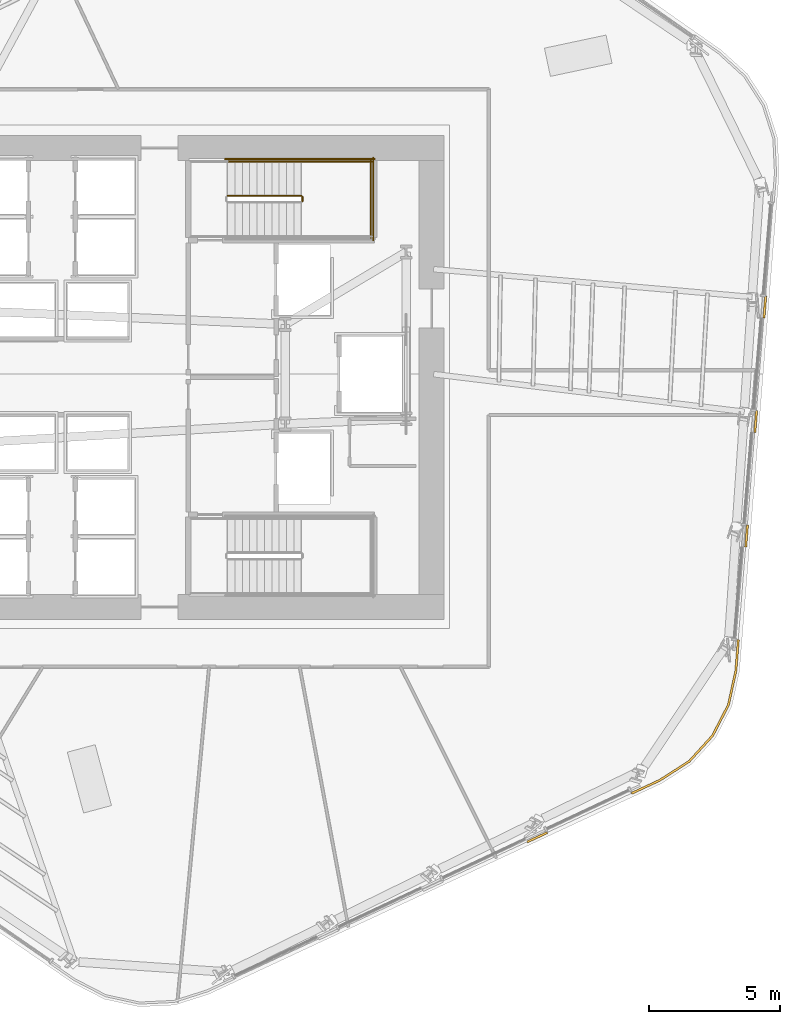
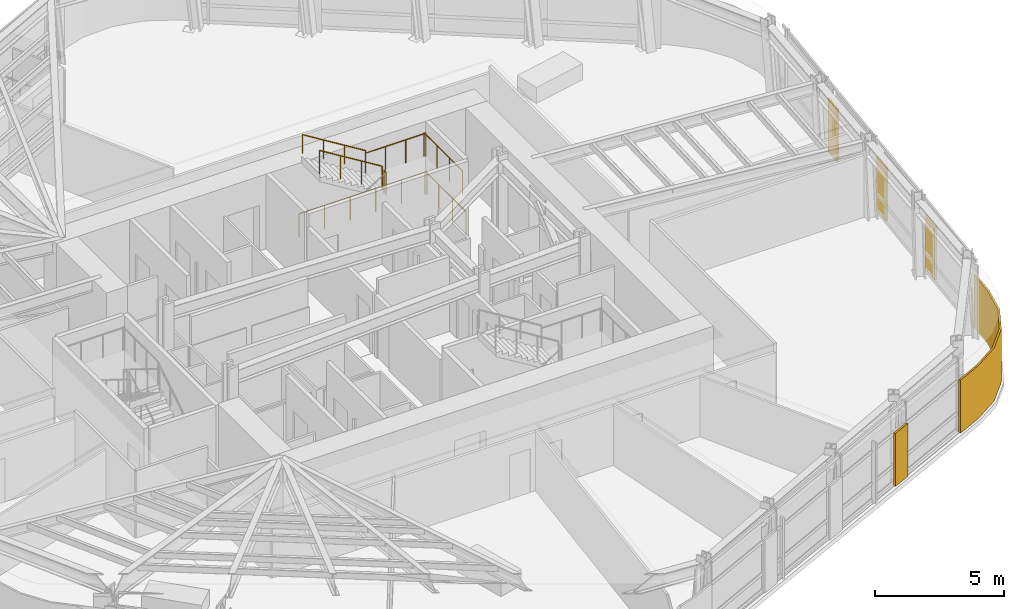
# One storey, part 17 of 19: 7 railings, 5 coverings.
"""IFC4 building model written with IfcOpenShell, lengths in metres."""

from ifc_helpers import new_model, si_unit, direction, frame, origin, origin_2d, place, context, subcontext, project, spatial, polyline, circle, outline, extrude, material, layer, layer_set, type_object, element, save


model = new_model("IFC4")

# Units and contexts
model_context = context("Model", 3, precision=1e-05, world=origin(), true_north=direction((0.0, 1.0)))
body_context = subcontext(model_context, "Body", "Model", "MODEL_VIEW")
ifc_project = project(units=[si_unit("LENGTHUNIT", "METRE"), si_unit("AREAUNIT", "SQUARE_METRE"), si_unit("VOLUMEUNIT", "CUBIC_METRE"), si_unit("PLANEANGLEUNIT", "RADIAN"), si_unit("MASSUNIT", "GRAM", prefix="KILO")], contexts=[model_context])

# Site, building, storey
site_placement = place(None, origin())
site = spatial("IfcSite", under=ifc_project, at=site_placement, CompositionType="ELEMENT")
building_placement = place(site_placement, origin())
building = spatial("IfcBuilding", under=site, at=building_placement, Name="Valkerne Bourse Tower", CompositionType="ELEMENT")
storey_placement = place(building_placement, frame((0.0, 0.0, 131.39990234375)))
storey = spatial("IfcBuildingStorey", under=building, at=storey_placement, Name="L33", CompositionType="ELEMENT", Elevation=131.39990234375)

# Coverings
ifc_material_1 = material(Name="Bronze Anodised Aluminium AA 6063-T6", Category="aluminium")
ifc_layer = layer(ifc_material_1, 0.06005859375)
ifc_layer_set = layer_set([ifc_layer], Name="Bronze Anodised Aluminium AA 6063-T6")
covering_type = type_object("IfcCoveringType", Name="COV-CRN-ALUM", PredefinedType="CLADDING", material=ifc_layer_set)
covering_1_placement = place(storey_placement, origin())
element("IfcCovering", 1, at=covering_1_placement, inside=storey, type_object=covering_type, Name="L33 Wind-Shaped Corner Aluminium Cladding 06", PredefinedType="CLADDING", context=body_context, shape_type="SweptSolid", body=[
    extrude(outline(polyline([(68.630126953125, 29.143798828125), (68.55029296875, 29.150390625), (68.6171875, 29.98779296875), (68.697021484375, 29.981201171875), (68.630126953125, 29.143798828125)])), origin(), (0.0, 0.0, 1.0), 2.5),
])
covering_2_placement = place(storey_placement, origin())
element("IfcCovering", 2, at=covering_2_placement, inside=storey, type_object=covering_type, Name="L33 Wind-Shaped Corner Aluminium Cladding 07", PredefinedType="CLADDING", context=body_context, shape_type="SweptSolid", body=[
    extrude(outline(polyline([(68.281982421875, 24.774658203125), (68.2021484375, 24.78125), (68.268798828125, 25.61865234375), (68.3486328125, 25.612060546875), (68.281982421875, 24.774658203125)])), origin(), (0.0, 0.0, 1.0), 2.5),
])
covering_3_placement = place(storey_placement, origin())
element("IfcCovering", 3, at=covering_3_placement, inside=storey, type_object=covering_type, Name="L33 Wind-Shaped Corner Aluminium Cladding 08", PredefinedType="CLADDING", context=body_context, shape_type="SweptSolid", body=[
    extrude(outline(polyline([(67.93359375, 20.405517578125), (67.85400390625, 20.412109375), (67.920654296875, 21.24951171875), (68.00048828125, 21.242919921875), (67.93359375, 20.405517578125)])), origin(), (0.0, 0.0, 1.0), 2.5),
])
covering_4_placement = place(storey_placement, origin())
element("IfcCovering", 4, at=covering_4_placement, inside=storey, type_object=covering_type, Name="L33 Wind-Shaped Corner Aluminium Cladding 09", PredefinedType="CLADDING", context=body_context, shape_type="SweptSolid", body=[
    extrude(outline(polyline([(67.5576171875, 15.685302734375), (67.2724609375, 14.37841796875), (66.662109375, 13.195556640625), (65.76611328125, 12.2109375), (64.640625, 11.48828125), (63.559814453125, 10.9853515625), (63.525634765625, 11.057861328125), (64.601806640625, 11.55859375), (65.714111328125, 12.272705078125), (66.595703125, 13.24169921875), (67.196533203125, 14.40576171875), (67.47802734375, 15.697021484375), (67.572509765625, 16.88037109375), (67.652099609375, 16.873779296875), (67.5576171875, 15.685302734375)])), origin(), (0.0, 0.0, 1.0), 2.5),
])
covering_5_placement = place(storey_placement, origin())
element("IfcCovering", 5, at=covering_5_placement, inside=storey, type_object=covering_type, Name="L33 Wind-Shaped Corner Aluminium Cladding 10", PredefinedType="CLADDING", context=body_context, shape_type="SweptSolid", body=[
    extrude(outline(polyline([(59.5859375, 9.135986328125), (59.552001953125, 9.20849609375), (60.3134765625, 9.56298828125), (60.34765625, 9.490478515625), (59.5859375, 9.135986328125)])), origin(), (0.0, 0.0, 1.0), 2.5),
])

# Railings
ifc_material_2 = material(Name="Galvanised Painted Steel", Category="steel")
railing_type_1 = type_object("IfcRailingType", Name="RLG-ST-GUARD-1120", PredefinedType="GUARDRAIL", material=ifc_material_2)
railing_1_placement = place(storey_placement, frame((51.0, 33.60009765625, 1.900146484375)))
element("IfcRailing", 6, at=railing_1_placement, inside=storey, type_object=railing_type_1, Name="L33 ST-2 stair guard 2", PredefinedType="GUARDRAIL", context=body_context, shape_type="SweptSolid", body=[
    extrude(circle(Radius=0.02392578125, at=origin_2d()), frame((0.0, 0.0, 1.09619140625), z_axis=(0.0, 1.0, 0.0), x_axis=(-1.0, 0.0, 0.0)), (0.0, 0.0, 1.0), 0.14990234375),
    extrude(circle(Radius=0.02099609375, at=origin_2d()), origin(), (0.0, 0.0, 1.0), 1.072021484375),
    extrude(circle(Radius=0.02099609375, at=origin_2d()), frame((0.0, 0.14990234375, 0.0)), (0.0, 0.0, 1.0), 1.072021484375),
])
railing_2_placement = place(storey_placement, frame((50.949951171875, 35.10009765625, 1.900146484375)))
element("IfcRailing", 7, at=railing_2_placement, inside=storey, type_object=railing_type_1, Name="L33 ST-2 stair guard 4", PredefinedType="GUARDRAIL", context=body_context, shape_type="SweptSolid", body=[
    extrude(circle(Radius=0.02392578125, at=origin_2d()), frame((0.0, 0.0, 1.09619140625), z_axis=(1.0, 0.0, 0.0), x_axis=(0.0, 1.0, 0.0)), (0.0, 0.0, 1.0), 2.699951171875),
    extrude(circle(Radius=0.02099609375, at=origin_2d()), origin(), (0.0, 0.0, 1.0), 1.072021484375),
    extrude(circle(Radius=0.02099609375, at=origin_2d()), frame((0.89990234375, 0.0, 0.0)), (0.0, 0.0, 1.0), 1.072021484375),
    extrude(circle(Radius=0.02099609375, at=origin_2d()), frame((1.800048828125, 0.0, 0.0)), (0.0, 0.0, 1.0), 1.072021484375),
    extrude(circle(Radius=0.02099609375, at=origin_2d()), frame((2.699951171875, 0.0, 0.0)), (0.0, 0.0, 1.0), 1.072021484375),
])
railing_3_placement = place(storey_placement, frame((53.60009765625, 32.199951171875, 1.900146484375)))
element("IfcRailing", 8, at=railing_3_placement, inside=storey, type_object=railing_type_1, Name="L33 ST-2 stair guard 5", PredefinedType="GUARDRAIL", context=body_context, shape_type="SweptSolid", body=[
    extrude(circle(Radius=0.02392578125, at=origin_2d()), frame((0.0, 0.0, 1.09619140625), z_axis=(0.0, 1.0, 0.0), x_axis=(-1.0, 0.0, 0.0)), (0.0, 0.0, 1.0), 2.949951171875),
    extrude(circle(Radius=0.02099609375, at=origin_2d()), origin(), (0.0, 0.0, 1.0), 1.072021484375),
    extrude(circle(Radius=0.02099609375, at=origin_2d()), frame((0.0, 0.9833984375, 0.0)), (0.0, 0.0, 1.0), 1.072021484375),
    extrude(circle(Radius=0.02099609375, at=origin_2d()), frame((0.0, 1.966552734375, 0.0)), (0.0, 0.0, 1.0), 1.072021484375),
    extrude(circle(Radius=0.02099609375, at=origin_2d()), frame((0.0, 2.949951171875, 0.0)), (0.0, 0.0, 1.0), 1.072021484375),
])
railing_4_placement = place(storey_placement, frame((50.949951171875, 33.800048828125, 2.07275390625)))
element("IfcRailing", 9, at=railing_4_placement, inside=storey, type_object=railing_type_1, Name="L33 ST-2 stair guard 6", PredefinedType="GUARDRAIL", context=body_context, shape_type="SweptSolid", body=[
    extrude(circle(Radius=0.02392578125, at=origin_2d()), frame((0.0, 0.0, 1.09619140625), z_axis=(-0.851089632645, 0.0, 0.525020415988), x_axis=(0.0, -1.0, 0.0)), (0.0, 0.0, 1.0), 3.2900390625),
    extrude(circle(Radius=0.02099609375, at=origin_2d()), origin(), (0.0, 0.0, 1.0), 1.072021484375),
    extrude(circle(Radius=0.02099609375, at=origin_2d()), frame((-0.933349609375, 0.0, 0.57568359375)), (0.0, 0.0, 1.0), 1.072021484375),
    extrude(circle(Radius=0.02099609375, at=origin_2d()), frame((-1.86669921875, 0.0, 1.151611328125)), (0.0, 0.0, 1.0), 1.072021484375),
    extrude(circle(Radius=0.02099609375, at=origin_2d()), frame((-2.800048828125, 0.0, 1.727294921875)), (0.0, 0.0, 1.0), 1.072021484375),
])
railing_5_placement = place(storey_placement, frame((48.050048828125, 35.199951171875, 0.0)))
element("IfcRailing", 10, at=railing_5_placement, inside=storey, type_object=railing_type_1, Name="L33 ST-2 stair guard 11", PredefinedType="GUARDRAIL", context=body_context, shape_type="SweptSolid", body=[
    extrude(circle(Radius=0.02392578125, at=origin_2d()), frame((0.0, 0.0, 1.09619140625), z_axis=(1.0, 0.0, 0.0), x_axis=(0.0, 1.0, 0.0)), (0.0, 0.0, 1.0), 5.699951171875),
    extrude(circle(Radius=0.02099609375, at=origin_2d()), origin(), (0.0, 0.0, 1.0), 1.072021484375),
    extrude(circle(Radius=0.02099609375, at=origin_2d()), frame((1.139892578125, 0.0, 0.0)), (0.0, 0.0, 1.0), 1.072021484375),
    extrude(circle(Radius=0.02099609375, at=origin_2d()), frame((2.280029296875, 0.0, 0.0)), (0.0, 0.0, 1.0), 1.072021484375),
    extrude(circle(Radius=0.02099609375, at=origin_2d()), frame((3.419921875, 0.0, 0.0)), (0.0, 0.0, 1.0), 1.072021484375),
    extrude(circle(Radius=0.02099609375, at=origin_2d()), frame((4.56005859375, 0.0, 0.0)), (0.0, 0.0, 1.0), 1.072021484375),
    extrude(circle(Radius=0.02099609375, at=origin_2d()), frame((5.699951171875, 0.0, 0.0)), (0.0, 0.0, 1.0), 1.072021484375),
])
railing_6_placement = place(storey_placement, frame((53.699951171875, 32.10009765625, 0.0)))
element("IfcRailing", 11, at=railing_6_placement, inside=storey, type_object=railing_type_1, Name="L33 ST-2 stair guard 12", PredefinedType="GUARDRAIL", context=body_context, shape_type="SweptSolid", body=[
    extrude(circle(Radius=0.02392578125, at=origin_2d()), frame((0.0, 0.0, 1.09619140625), z_axis=(0.0, 1.0, 0.0), x_axis=(-1.0, 0.0, 0.0)), (0.0, 0.0, 1.0), 3.14990234375),
    extrude(circle(Radius=0.02099609375, at=origin_2d()), origin(), (0.0, 0.0, 1.0), 1.072021484375),
    extrude(circle(Radius=0.02099609375, at=origin_2d()), frame((0.0, 1.050048828125, 0.0)), (0.0, 0.0, 1.0), 1.072021484375),
    extrude(circle(Radius=0.02099609375, at=origin_2d()), frame((0.0, 2.099853515625, 0.0)), (0.0, 0.0, 1.0), 1.072021484375),
    extrude(circle(Radius=0.02099609375, at=origin_2d()), frame((0.0, 3.14990234375, 0.0)), (0.0, 0.0, 1.0), 1.072021484375),
])
ifc_material_3 = material(Name="Stainless Steel AISI 316", Category="steel")
railing_type_2 = type_object("IfcRailingType", Name="RLG-ST-HANDRAIL-900", PredefinedType="HANDRAIL", material=ifc_material_3)
railing_7_placement = place(storey_placement, frame((50.949951171875, 35.10009765625, 2.24560546875)))
element("IfcRailing", 12, at=railing_7_placement, inside=storey, type_object=railing_type_2, Name="L33 ST-2 stair handrail 2", PredefinedType="HANDRAIL", context=body_context, shape_type="SweptSolid", body=[
    extrude(circle(Radius=0.02392578125, at=origin_2d()), frame((0.0, 0.0, 0.8759765625), z_axis=(-0.851089632645, 0.0, 0.525020415988), x_axis=(0.0, -1.0, 0.0)), (0.0, 0.0, 1.0), 3.2900390625),
    extrude(circle(Radius=0.02099609375, at=origin_2d()), origin(), (0.0, 0.0, 1.0), 0.851806640625),
    extrude(circle(Radius=0.02099609375, at=origin_2d()), frame((-0.933349609375, 0.0, 0.57568359375)), (0.0, 0.0, 1.0), 0.851806640625),
    extrude(circle(Radius=0.02099609375, at=origin_2d()), frame((-1.86669921875, 0.0, 1.151611328125)), (0.0, 0.0, 1.0), 0.851806640625),
    extrude(circle(Radius=0.02099609375, at=origin_2d()), frame((-2.800048828125, 0.0, 1.727294921875)), (0.0, 0.0, 1.0), 0.851806640625),
])

save(model, "model.ifc")
